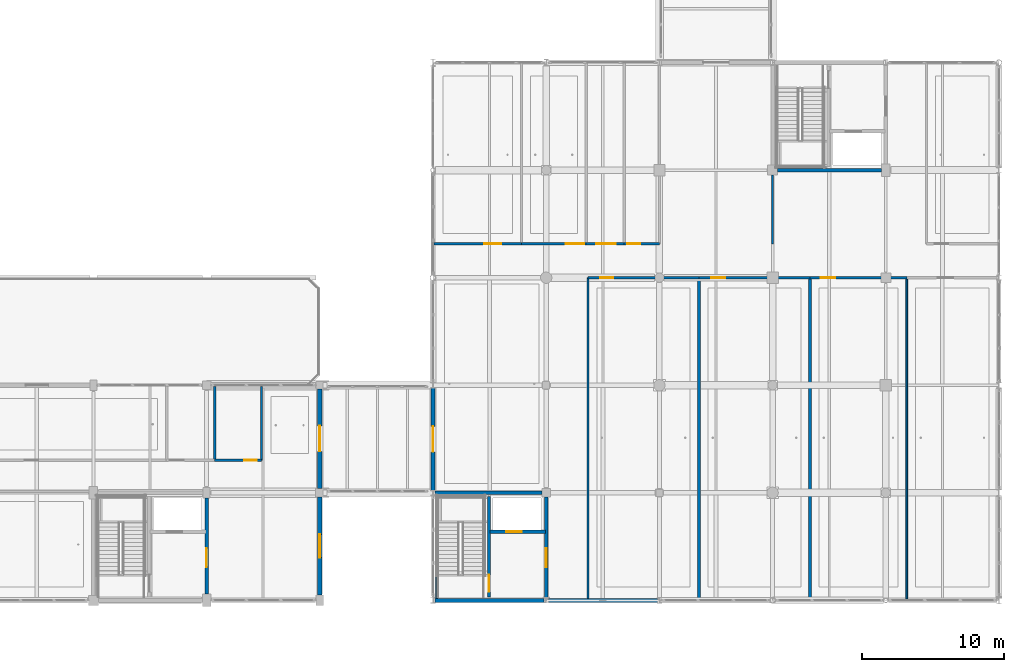
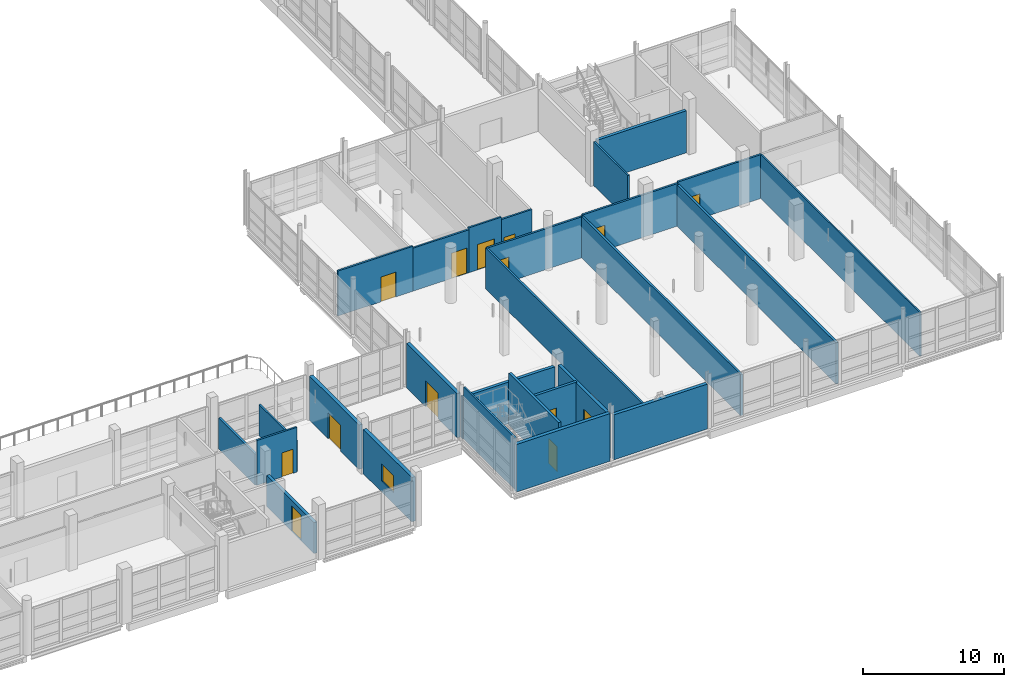
# One storey, part 92 of 147: 27 walls, 14 doors, 1 window, 15 openings.
"""IFC4 building model written with IfcOpenShell, lengths in metres."""

from ifc_helpers import new_model, si_unit, direction, frame, frame_2d, origin, place, context, subcontext, project, spatial, rectangle, extrude, material, layer, layer_set, type_object, element, fill, save


model = new_model("IFC4")

# Units and contexts
model_context = context("Model", 3, precision=1e-05, world=origin(), true_north=direction((0.0, 1.0)))
body_context = subcontext(model_context, "Body", "Model", "MODEL_VIEW")
ifc_project = project(units=[si_unit("LENGTHUNIT", "METRE"), si_unit("AREAUNIT", "SQUARE_METRE"), si_unit("VOLUMEUNIT", "CUBIC_METRE"), si_unit("PLANEANGLEUNIT", "RADIAN"), si_unit("MASSUNIT", "GRAM", prefix="KILO")], contexts=[model_context])

# Site, building, storey
site_placement = place(None, origin())
site = spatial("IfcSite", under=ifc_project, at=site_placement, CompositionType="ELEMENT")
building_placement = place(site_placement, origin())
building = spatial("IfcBuilding", under=site, at=building_placement, Name="Khelvaren Railside Concert Hall", CompositionType="ELEMENT")
storey_placement = place(building_placement, frame((0.0, 0.0, 5.39990234375)))
storey = spatial("IfcBuildingStorey", under=building, at=storey_placement, Name="L01", CompositionType="ELEMENT", Elevation=5.39990234375)

# Walls
ifc_material_1 = material(Name="Concrete C40/50", Category="concrete")
ifc_layer_1 = layer(ifc_material_1, 0.139892578125)
ifc_layer_set_1 = layer_set([ifc_layer_1], Name="Concrete C40/50")
wall_type_1 = type_object("IfcWallType", Name="CW17", PredefinedType="SOLIDWALL", material=ifc_layer_set_1)
wall_1_placement = place(storey_placement, frame((144.27490234375, 0.14990234375, 0.0), z_axis=(0.0, 0.0, 1.0), x_axis=(0.0, 1.0, 0.0)))
element("IfcWall", 1, at=wall_1_placement, inside=storey, type_object=wall_type_1, Name="Core Shaft Structural Liner Wall ST-03-L01", PredefinedType="SOLIDWALL", context=body_context, shape_type="SweptSolid", body=[
    extrude(rectangle(XDim=7.300048828125, YDim=0.139892578125, at=frame_2d((3.64990234375, 0.0))), origin(), (0.0, 0.0, 1.0), 4.510009765625),
])
ifc_layer_2 = layer(ifc_material_1, 0.25)
ifc_layer_set_2 = layer_set([ifc_layer_2], Name="Concrete C40/50")
wall_type_2 = type_object("IfcWallType", Name="CW82", PredefinedType="SOLIDWALL", material=ifc_layer_set_2)
wall_2_placement = place(storey_placement, frame((144.14990234375, 7.60009765625, 0.0), z_axis=(0.0, 0.0, 1.0), x_axis=(1.0, 0.0, 0.0)))
element("IfcWall", 2, at=wall_2_placement, inside=storey, type_object=wall_type_2, Name="Core Enclosure Wall CWALL-ST-03-L01-N", PredefinedType="SOLIDWALL", context=body_context, shape_type="SweptSolid", body=[
    extrude(rectangle(XDim=7.550048828125, YDim=0.25, at=frame_2d((3.77490234375, 0.0))), origin(), (0.0, 0.0, 1.0), 3.635009765625),
])

# Wall, opening, door
wall_3_placement = place(storey_placement, frame((152.0, 0.179931640625, 0.0), z_axis=(0.0, 0.0, 1.0), x_axis=(0.0, 1.0, 0.0)))
wall_3 = element("IfcWall", 3, at=wall_3_placement, inside=storey, type_object=wall_type_2, Name="Core Enclosure Wall CWALL-ST-03-L01-E", PredefinedType="SOLIDWALL", context=body_context, shape_type="SweptSolid", body=[
    extrude(rectangle(XDim=7.1201171875, YDim=0.25, at=frame_2d((3.56005859375, 0.0))), origin(), (0.0, 0.0, 1.0), 3.840087890625),
])
opening_1_placement = place(wall_3_placement, frame((2.169921875, 0.0, 0.0)))
opening_1 = element("IfcOpeningElement", 4, at=opening_1_placement, cuts=wall_3, Name="Opening FDR34", PredefinedType="OPENING", context=body_context, shape_type="SweptSolid", body=[
    extrude(rectangle(XDim=1.35009765625, YDim=2.199951171875, at=frame_2d((0.675048828125, 1.10009765625))), frame((0.0, 0.135009765625, 0.0), z_axis=(0.0, -1.0, 0.0), x_axis=(1.0, 0.0, 0.0)), (0.0, 0.0, 1.0), 0.27001953125),
])
ifc_material_2 = material(Name="Acoustic fire-rated timber-core steel frame door", Category="steel")
door_type_1 = type_object("IfcDoorType", Name="FDR34", OperationType="NOTDEFINED", PredefinedType="DOOR", material=ifc_material_2)
door_1_placement = place(opening_1_placement, origin())
door_1 = element("IfcDoor", 5, at=door_1_placement, inside=storey, type_object=door_type_1, Name="Interior Door DR-ST-03-L01-LOB", OperationType="SINGLE_SWING_LEFT", OverallHeight=2.199951171875, OverallWidth=1.35009765625, PredefinedType="DOOR", context=body_context, shape_type="SweptSolid", body=[
    extrude(rectangle(XDim=1.35009765625, YDim=2.199951171875, at=frame_2d((0.675048828125, 1.10009765625))), frame((0.0, 0.02490234375, 0.0), z_axis=(0.0, -1.0, 0.0), x_axis=(1.0, 0.0, 0.0)), (0.0, 0.0, 1.0), 0.050048828125),
])
fill(opening_1, door_1)

# Wall
wall_4_placement = place(storey_placement, frame((168.35009765625, 30.39990234375, 0.0), z_axis=(0.0, 0.0, 1.0), x_axis=(1.0, 0.0, 0.0)))
element("IfcWall", 6, at=wall_4_placement, inside=storey, type_object=wall_type_2, Name="Core Enclosure Wall CWALL-ST-04-L01-S", PredefinedType="SOLIDWALL", context=body_context, shape_type="SweptSolid", body=[
    extrude(rectangle(XDim=7.349853515625, YDim=0.25, at=frame_2d((3.6748046875, 0.0))), origin(), (0.0, 0.0, 1.0), 3.650146484375),
])

# Wall, opening, door
wall_5_placement = place(storey_placement, frame((128.0, 0.449951171875, 0.0), z_axis=(0.0, 0.0, 1.0), x_axis=(0.0, 1.0, 0.0)))
wall_5 = element("IfcWall", 7, at=wall_5_placement, inside=storey, type_object=wall_type_2, Name="Core Enclosure Wall CWALL-ST-06-L01-E", PredefinedType="SOLIDWALL", context=body_context, shape_type="SweptSolid", body=[
    extrude(rectangle(XDim=6.775146484375, YDim=0.25, at=frame_2d((3.3876953125, 0.0))), origin(), (0.0, 0.0, 1.0), 2.690185546875),
])
opening_2_placement = place(wall_5_placement, frame((1.89990234375, 0.0, 0.0)))
opening_2 = element("IfcOpeningElement", 8, at=opening_2_placement, cuts=wall_5, Name="Opening FDR34", PredefinedType="OPENING", context=body_context, shape_type="SweptSolid", body=[
    extrude(rectangle(XDim=1.35009765625, YDim=2.199951171875, at=frame_2d((0.675048828125, 1.10009765625))), frame((0.0, 0.135009765625, 0.0), z_axis=(0.0, -1.0, 0.0), x_axis=(1.0, 0.0, 0.0)), (0.0, 0.0, 1.0), 0.27001953125),
])
door_2_placement = place(opening_2_placement, origin())
door_2 = element("IfcDoor", 9, at=door_2_placement, inside=storey, type_object=door_type_1, Name="Interior Door DR-ST-06-L01-LOB", OperationType="SINGLE_SWING_LEFT", OverallHeight=2.199951171875, OverallWidth=1.35009765625, PredefinedType="DOOR", context=body_context, shape_type="SweptSolid", body=[
    extrude(rectangle(XDim=1.35009765625, YDim=2.199951171875, at=frame_2d((0.675048828125, 1.10009765625))), frame((0.0, 0.02490234375, 0.0), z_axis=(0.0, -1.0, 0.0), x_axis=(1.0, 0.0, 0.0)), (0.0, 0.0, 1.0), 0.050048828125),
])
fill(opening_2, door_2)

ifc_layer_3 = layer(ifc_material_1, 0.219970703125)
ifc_layer_set_3 = layer_set([ifc_layer_3], Name="Concrete C40/50")
wall_type_3 = type_object("IfcWallType", Name="CW97", PredefinedType="SOLIDWALL", material=ifc_layer_set_3)
wall_6_placement = place(storey_placement, frame((147.949951171875, 0.25, 0.0), z_axis=(0.0, 0.0, 1.0), x_axis=(0.0, 1.0, 0.0)))
wall_6 = element("IfcWall", 10, at=wall_6_placement, inside=storey, type_object=wall_type_3, Name="Core Enclosure Wall CWALL-ST-03-L01-MID", PredefinedType="SOLIDWALL", context=body_context, shape_type="SweptSolid", body=[
    extrude(rectangle(XDim=7.10009765625, YDim=0.219970703125, at=frame_2d((3.550048828125, 0.0))), origin(), (0.0, 0.0, 1.0), 4.510009765625),
])
opening_3_placement = place(wall_6_placement, frame((0.35009765625, 0.0, 0.0)))
opening_3 = element("IfcOpeningElement", 11, at=opening_3_placement, cuts=wall_6, Name="Opening FDR17", PredefinedType="OPENING", context=body_context, shape_type="SweptSolid", body=[
    extrude(rectangle(XDim=1.199951171875, YDim=2.14990234375, at=frame_2d((0.60009765625, 1.074951171875))), frame((0.0, 0.119873046875, 0.0), z_axis=(0.0, -1.0, 0.0), x_axis=(1.0, 0.0, 0.0)), (0.0, 0.0, 1.0), 0.239990234375),
])
door_type_2 = type_object("IfcDoorType", Name="FDR17", OperationType="NOTDEFINED", PredefinedType="DOOR", material=ifc_material_2)
door_3_placement = place(opening_3_placement, origin())
door_3 = element("IfcDoor", 12, at=door_3_placement, inside=storey, type_object=door_type_2, Name="Interior Door DR-ST-03-L01-ST", OperationType="SINGLE_SWING_RIGHT", OverallHeight=2.14990234375, OverallWidth=1.199951171875, PredefinedType="DOOR", context=body_context, shape_type="SweptSolid", body=[
    extrude(rectangle(XDim=1.199951171875, YDim=2.14990234375, at=frame_2d((0.60009765625, 1.074951171875))), frame((0.0, 0.02490234375, 0.0), z_axis=(0.0, -1.0, 0.0), x_axis=(1.0, 0.0, 0.0)), (0.0, 0.0, 1.0), 0.050048828125),
])
fill(opening_3, door_3)

wall_7_placement = place(storey_placement, frame((148.02001953125, 4.85009765625, 0.0), z_axis=(0.0, 0.0, 1.0), x_axis=(1.0, 0.0, 0.0)))
wall_7 = element("IfcWall", 13, at=wall_7_placement, inside=storey, type_object=wall_type_3, Name="Core Enclosure Wall CWALL-ST-03-L01-SHF", PredefinedType="SOLIDWALL", context=body_context, shape_type="SweptSolid", body=[
    extrude(rectangle(XDim=3.929931640625, YDim=0.219970703125, at=frame_2d((1.96484375, 0.0))), origin(), (0.0, 0.0, 1.0), 3.885009765625),
])
opening_4_placement = place(wall_7_placement, frame((1.14990234375, 0.0, 0.0)))
opening_4 = element("IfcOpeningElement", 14, at=opening_4_placement, cuts=wall_7, Name="Opening LD-PL-02", PredefinedType="OPENING", context=body_context, shape_type="SweptSolid", body=[
    extrude(rectangle(XDim=1.10009765625, YDim=2.199951171875, at=frame_2d((0.550048828125, 1.10009765625))), frame((0.0, 0.119873046875, 0.0), z_axis=(0.0, -1.0, 0.0), x_axis=(1.0, 0.0, 0.0)), (0.0, 0.0, 1.0), 0.239990234375),
])
ifc_material_3 = material(Name="Fire-rated brushed stainless steel landing door", Category="steel")
door_type_3 = type_object("IfcDoorType", Name="LD96", OperationType="DOUBLE_DOOR_SLIDING", PredefinedType="DOOR", material=ifc_material_3)
door_4_placement = place(opening_4_placement, origin())
door_4 = element("IfcDoor", 15, at=door_4_placement, inside=storey, type_object=door_type_3, Name="Lift Landing Door LD-PL-02-L01", OperationType="DOUBLE_DOOR_SLIDING", OverallHeight=2.199951171875, OverallWidth=1.10009765625, PredefinedType="DOOR", context=body_context, shape_type="SweptSolid", body=[
    extrude(rectangle(XDim=1.10009765625, YDim=2.199951171875, at=frame_2d((0.550048828125, 1.10009765625))), frame((0.0, 0.02490234375, 0.0), z_axis=(0.0, -1.0, 0.0), x_axis=(1.0, 0.0, 0.0)), (0.0, 0.0, 1.0), 0.050048828125),
])
fill(opening_4, door_4)

# Walls
ifc_material_4 = material(Name="Board-marked architectural concrete C40/50", Category="concrete")
ifc_layer_4 = layer(ifc_material_4, 0.280029296875)
ifc_layer_set_4 = layer_set([ifc_layer_4], Name="Board-marked architectural concrete C40/50")
wall_type_4 = type_object("IfcWallType", Name="EW17", PredefinedType="SOLIDWALL", material=ifc_layer_set_4)
wall_8_placement = place(storey_placement, frame((151.85009765625, 0.0, 0.0), z_axis=(0.0, 0.0, 1.0), x_axis=(-1.0, 0.0, 0.0)))
element("IfcWall", 16, at=wall_8_placement, inside=storey, type_object=wall_type_4, Name="V2 L01 Exterior Concrete Wall S-144", PredefinedType="SOLIDWALL", context=body_context, shape_type="SweptSolid", body=[
    extrude(rectangle(XDim=7.7001953125, YDim=0.280029296875, at=frame_2d((3.85009765625, 0.0))), origin(), (0.0, 0.0, 1.0), 4.14013671875),
])
wall_9_placement = place(storey_placement, frame((159.85009765625, 0.0, 0.0), z_axis=(0.0, 0.0, 1.0), x_axis=(-1.0, 0.0, 0.0)))
element("IfcWall", 17, at=wall_9_placement, inside=storey, type_object=wall_type_4, Name="V2 L01 Exterior Concrete Wall S-152", PredefinedType="SOLIDWALL", context=body_context, shape_type="SweptSolid", body=[
    extrude(rectangle(XDim=7.7001953125, YDim=0.280029296875, at=frame_2d((3.85009765625, 0.0))), origin(), (0.0, 0.0, 1.0), 3.900146484375),
])

# Wall, opening, door
wall_10_placement = place(storey_placement, frame((144.0, 7.780029296875, 0.0), z_axis=(0.0, 0.0, 1.0), x_axis=(0.0, 1.0, 0.0)))
wall_10 = element("IfcWall", 18, at=wall_10_placement, inside=storey, type_object=wall_type_4, Name="V2 L01 Bridge Portal Wall W", PredefinedType="SOLIDWALL", context=body_context, shape_type="SweptSolid", body=[
    extrude(rectangle(XDim=7.224853515625, YDim=0.280029296875, at=frame_2d((3.6123046875, 0.0))), origin(), (0.0, 0.0, 1.0), 3.85009765625),
])
opening_5_placement = place(wall_10_placement, frame((2.71240234375, 0.0, 0.0)))
opening_5 = element("IfcOpeningElement", 19, at=opening_5_placement, cuts=wall_10, Name="Opening DR64", PredefinedType="OPENING", context=body_context, shape_type="SweptSolid", body=[
    extrude(rectangle(XDim=1.800048828125, YDim=2.25, at=frame_2d((0.89990234375, 1.125))), frame((0.0, 0.14990234375, 0.0), z_axis=(0.0, -1.0, 0.0), x_axis=(1.0, 0.0, 0.0)), (0.0, 0.0, 1.0), 0.300048828125),
])
ifc_material_5 = material(Name="Glazed fire-rated steel frame door", Category="steel")
door_type_4 = type_object("IfcDoorType", Name="DR64", OperationType="DOUBLE_DOOR_SINGLE_SWING", PredefinedType="DOOR", material=ifc_material_5)
door_5_placement = place(opening_5_placement, origin())
door_5 = element("IfcDoor", 20, at=door_5_placement, inside=storey, type_object=door_type_4, Name="V2 L01 Link Bridge Portal Door", OperationType="DOUBLE_DOOR_SINGLE_SWING", OverallHeight=2.25, OverallWidth=1.800048828125, PredefinedType="DOOR", context=body_context, shape_type="SweptSolid", body=[
    extrude(rectangle(XDim=1.800048828125, YDim=2.25, at=frame_2d((0.89990234375, 1.125))), frame((0.0, 0.02490234375, 0.0), z_axis=(0.0, -1.0, 0.0), x_axis=(1.0, 0.0, 0.0)), (0.0, 0.0, 1.0), 0.050048828125),
])
fill(opening_5, door_5)

# Wall, opening, window
ifc_layer_5 = layer(ifc_material_4, 0.2900390625)
ifc_layer_set_5 = layer_set([ifc_layer_5], Name="Board-marked architectural concrete C40/50")
wall_type_5 = type_object("IfcWallType", Name="EW77", PredefinedType="SOLIDWALL", material=ifc_layer_set_5)
wall_11_placement = place(storey_placement, frame((136.0, 7.300048828125, 0.0), z_axis=(0.0, 0.0, 1.0), x_axis=(0.0, -1.0, 0.0)))
wall_11 = element("IfcWall", 21, at=wall_11_placement, inside=storey, type_object=wall_type_5, Name="V3 L01 Exterior Concrete Wall E-0", PredefinedType="SOLIDWALL", context=body_context, shape_type="SweptSolid", body=[
    extrude(rectangle(XDim=6.925048828125, YDim=0.2900390625, at=frame_2d((3.46240234375, 0.0))), origin(), (0.0, 0.0, 1.0), 3.85009765625),
])
opening_6_placement = place(wall_11_placement, frame((2.637451171875, 0.0, 0.949951171875)))
opening_6 = element("IfcOpeningElement", 22, at=opening_6_placement, cuts=wall_11, Name="Opening WN55", PredefinedType="OPENING", context=body_context, shape_type="SweptSolid", body=[
    extrude(rectangle(XDim=1.64990234375, YDim=1.5, at=frame_2d((0.824951171875, 0.75))), frame((0.0, 0.155029296875, 0.0), z_axis=(0.0, -1.0, 0.0), x_axis=(1.0, 0.0, 0.0)), (0.0, 0.0, 1.0), 0.31005859375),
])
ifc_material_6 = material(Name="Triple-glazed acoustic aluminium window", Category="aluminium")
window_type = type_object("IfcWindowType", Name="WN55", PartitioningType="SINGLE_PANEL", PredefinedType="WINDOW", material=ifc_material_6)
window_placement = place(opening_6_placement, origin())
window = element("IfcWindow", 23, at=window_placement, inside=storey, type_object=window_type, Name="Acoustic Facade Window EW-V3-L01-E-0", OverallHeight=1.5, OverallWidth=1.64990234375, PartitioningType="SINGLE_PANEL", PredefinedType="WINDOW", context=body_context, shape_type="SweptSolid", body=[
    extrude(rectangle(XDim=1.64990234375, YDim=1.5, at=frame_2d((0.824951171875, 0.75))), frame((0.0, 0.030029296875, 0.0), z_axis=(0.0, -1.0, 0.0), x_axis=(1.0, 0.0, 0.0)), (0.0, 0.0, 1.0), 0.06005859375),
])
fill(opening_6, window)

# Wall, opening, door
wall_12_placement = place(storey_placement, frame((136.0, 14.949951171875, 0.0), z_axis=(0.0, 0.0, 1.0), x_axis=(0.0, -1.0, 0.0)))
wall_12 = element("IfcWall", 24, at=wall_12_placement, inside=storey, type_object=wall_type_5, Name="V3 L01 Bridge Portal Wall E", PredefinedType="SOLIDWALL", context=body_context, shape_type="SweptSolid", body=[
    extrude(rectangle(XDim=7.050048828125, YDim=0.2900390625, at=frame_2d((3.52490234375, 0.0))), origin(), (0.0, 0.0, 1.0), 3.85009765625),
])
opening_7_placement = place(wall_12_placement, frame((2.625, 0.0, 0.0)))
opening_7 = element("IfcOpeningElement", 25, at=opening_7_placement, cuts=wall_12, Name="Opening DR64", PredefinedType="OPENING", context=body_context, shape_type="SweptSolid", body=[
    extrude(rectangle(XDim=1.800048828125, YDim=2.25, at=frame_2d((0.89990234375, 1.125))), frame((0.0, 0.155029296875, 0.0), z_axis=(0.0, -1.0, 0.0), x_axis=(1.0, 0.0, 0.0)), (0.0, 0.0, 1.0), 0.31005859375),
])
door_6_placement = place(opening_7_placement, origin())
door_6 = element("IfcDoor", 26, at=door_6_placement, inside=storey, type_object=door_type_4, Name="V3 L01 Link Bridge Portal Door", OperationType="DOUBLE_DOOR_SINGLE_SWING", OverallHeight=2.25, OverallWidth=1.800048828125, PredefinedType="DOOR", context=body_context, shape_type="SweptSolid", body=[
    extrude(rectangle(XDim=1.800048828125, YDim=2.25, at=frame_2d((0.89990234375, 1.125))), frame((0.0, 0.02490234375, 0.0), z_axis=(0.0, -1.0, 0.0), x_axis=(1.0, 0.0, 0.0)), (0.0, 0.0, 1.0), 0.050048828125),
])
fill(opening_7, door_6)

ifc_material_7 = material(Name="Acoustic double-stud gypsum partition", Category="gypsum")
ifc_layer_6 = layer(ifc_material_7, 0.159912109375)
ifc_layer_set_6 = layer_set([ifc_layer_6], Name="Acoustic double-stud gypsum partition")
wall_type_6 = type_object("IfcWallType", Name="PT19", PredefinedType="PARTITIONING", material=ifc_layer_set_6)
wall_13_placement = place(storey_placement, frame((154.949951171875, 22.800048828125, 0.0), z_axis=(0.0, 0.0, 1.0), x_axis=(1.0, 0.0, 0.0)))
wall_13 = element("IfcWall", 27, at=wall_13_placement, inside=storey, type_object=wall_type_6, Name="Acoustic Partition Wall PW-V2-L01-S-C01", PredefinedType="PARTITIONING", context=body_context, shape_type="SweptSolid", body=[
    extrude(rectangle(XDim=7.845947265625, YDim=0.159912109375, at=frame_2d((3.9228515625, 0.0))), origin(), (0.0, 0.0, 1.0), 3.550048828125),
])
opening_8_placement = place(wall_13_placement, frame((0.860595703125, 0.0, 0.0)))
opening_8 = element("IfcOpeningElement", 28, at=opening_8_placement, cuts=wall_13, Name="Opening IDR15", PredefinedType="OPENING", context=body_context, shape_type="SweptSolid", body=[
    extrude(rectangle(XDim=0.919921875, YDim=2.14990234375, at=frame_2d((0.4599609375, 1.074951171875))), frame((0.0, 0.08984375, 0.0), z_axis=(0.0, -1.0, 0.0), x_axis=(1.0, 0.0, 0.0)), (0.0, 0.0, 1.0), 0.179931640625),
])
ifc_material_8 = material(Name="Solid oak acoustic studio door", Category="wood")
door_type_5 = type_object("IfcDoorType", Name="IDR15", OperationType="NOTDEFINED", PredefinedType="DOOR", material=ifc_material_8)
door_7_placement = place(opening_8_placement, origin())
door_7 = element("IfcDoor", 29, at=door_7_placement, inside=storey, type_object=door_type_5, Name="Interior Door DR-V2-L01-S-01", OperationType="SINGLE_SWING_LEFT", OverallHeight=2.14990234375, OverallWidth=0.919921875, PredefinedType="DOOR", context=body_context, shape_type="SweptSolid", body=[
    extrude(rectangle(XDim=0.919921875, YDim=2.14990234375, at=frame_2d((0.4599609375, 1.074951171875))), frame((0.0, 0.02490234375, 0.0), z_axis=(0.0, -1.0, 0.0), x_axis=(1.0, 0.0, 0.0)), (0.0, 0.0, 1.0), 0.050048828125),
])
fill(opening_8, door_7)

wall_14_placement = place(storey_placement, frame((162.7958984375, 22.800048828125, 0.0), z_axis=(0.0, 0.0, 1.0), x_axis=(1.0, 0.0, 0.0)))
wall_14 = element("IfcWall", 30, at=wall_14_placement, inside=storey, type_object=wall_type_6, Name="Acoustic Partition Wall PW-V2-L01-S-C02", PredefinedType="PARTITIONING", context=body_context, shape_type="SweptSolid", body=[
    extrude(rectangle(XDim=7.84619140625, YDim=0.159912109375, at=frame_2d((3.923095703125, 0.0))), origin(), (0.0, 0.0, 1.0), 3.68505859375),
])
opening_9_placement = place(wall_14_placement, frame((0.860595703125, 0.0, 0.0)))
opening_9 = element("IfcOpeningElement", 31, at=opening_9_placement, cuts=wall_14, Name="Opening IDR67", PredefinedType="OPENING", context=body_context, shape_type="SweptSolid", body=[
    extrude(rectangle(XDim=0.97998046875, YDim=2.14990234375, at=frame_2d((0.489990234375, 1.074951171875))), frame((0.0, 0.08984375, 0.0), z_axis=(0.0, -1.0, 0.0), x_axis=(1.0, 0.0, 0.0)), (0.0, 0.0, 1.0), 0.179931640625),
])
door_type_6 = type_object("IfcDoorType", Name="IDR67", OperationType="NOTDEFINED", PredefinedType="DOOR", material=ifc_material_8)
door_8_placement = place(opening_9_placement, origin())
door_8 = element("IfcDoor", 32, at=door_8_placement, inside=storey, type_object=door_type_6, Name="Interior Door DR-V2-L01-S-02", OperationType="SINGLE_SWING_RIGHT", OverallHeight=2.14990234375, OverallWidth=0.97998046875, PredefinedType="DOOR", context=body_context, shape_type="SweptSolid", body=[
    extrude(rectangle(XDim=0.97998046875, YDim=2.14990234375, at=frame_2d((0.489990234375, 1.074951171875))), frame((0.0, 0.02490234375, 0.0), z_axis=(0.0, -1.0, 0.0), x_axis=(1.0, 0.0, 0.0)), (0.0, 0.0, 1.0), 0.050048828125),
])
fill(opening_9, door_8)

wall_15_placement = place(storey_placement, frame((170.64208984375, 22.800048828125, 0.0), z_axis=(0.0, 0.0, 1.0), x_axis=(1.0, 0.0, 0.0)))
wall_15 = element("IfcWall", 33, at=wall_15_placement, inside=storey, type_object=wall_type_6, Name="Acoustic Partition Wall PW-V2-L01-S-C03", PredefinedType="PARTITIONING", context=body_context, shape_type="SweptSolid", body=[
    extrude(rectangle(XDim=6.83984375, YDim=0.159912109375, at=frame_2d((3.419921875, 0.0))), origin(), (0.0, 0.0, 1.0), 3.81005859375),
])
opening_10_placement = place(wall_15_placement, frame((0.760009765625, 0.0, 0.0)))
opening_10 = element("IfcOpeningElement", 34, at=opening_10_placement, cuts=wall_15, Name="Opening IDR24", PredefinedType="OPENING", context=body_context, shape_type="SweptSolid", body=[
    extrude(rectangle(XDim=1.0400390625, YDim=2.14990234375, at=frame_2d((0.52001953125, 1.074951171875))), frame((0.0, 0.08984375, 0.0), z_axis=(0.0, -1.0, 0.0), x_axis=(1.0, 0.0, 0.0)), (0.0, 0.0, 1.0), 0.179931640625),
])
door_type_7 = type_object("IfcDoorType", Name="IDR24", OperationType="NOTDEFINED", PredefinedType="DOOR", material=ifc_material_8)
door_9_placement = place(opening_10_placement, origin())
door_9 = element("IfcDoor", 35, at=door_9_placement, inside=storey, type_object=door_type_7, Name="Interior Door DR-V2-L01-S-03", OperationType="SINGLE_SWING_LEFT", OverallHeight=2.14990234375, OverallWidth=1.0400390625, PredefinedType="DOOR", context=body_context, shape_type="SweptSolid", body=[
    extrude(rectangle(XDim=1.0400390625, YDim=2.14990234375, at=frame_2d((0.52001953125, 1.074951171875))), frame((0.0, 0.02490234375, 0.0), z_axis=(0.0, -1.0, 0.0), x_axis=(1.0, 0.0, 0.0)), (0.0, 0.0, 1.0), 0.050048828125),
])
fill(opening_10, door_9)

# Walls
wall_16_placement = place(storey_placement, frame((154.949951171875, 0.080078125, 0.0), z_axis=(0.0, 0.0, 1.0), x_axis=(0.0, 1.0, 0.0)))
element("IfcWall", 36, at=wall_16_placement, inside=storey, type_object=wall_type_6, Name="Acoustic Partition Wall PW-V2-L01-S-W0", PredefinedType="PARTITIONING", context=body_context, shape_type="SweptSolid", body=[
    extrude(rectangle(XDim=22.719970703125, YDim=0.159912109375, at=frame_2d((11.35986328125, 0.0))), origin(), (0.0, 0.0, 1.0), 3.550048828125),
])
ifc_layer_7 = layer(ifc_material_7, 0.179931640625)
ifc_layer_set_7 = layer_set([ifc_layer_7], Name="Acoustic double-stud gypsum partition")
wall_type_7 = type_object("IfcWallType", Name="PT53", PredefinedType="PARTITIONING", material=ifc_layer_set_7)
wall_17_placement = place(storey_placement, frame((162.7958984375, 0.080078125, 0.0), z_axis=(0.0, 0.0, 1.0), x_axis=(0.0, 1.0, 0.0)))
element("IfcWall", 37, at=wall_17_placement, inside=storey, type_object=wall_type_7, Name="Acoustic Partition Wall PW-V2-L01-S-D01", PredefinedType="PARTITIONING", context=body_context, shape_type="SweptSolid", body=[
    extrude(rectangle(XDim=22.719970703125, YDim=0.179931640625, at=frame_2d((11.35986328125, 0.0))), origin(), (0.0, 0.0, 1.0), 3.585205078125),
])

# Wall, opening, door
ifc_layer_8 = layer(ifc_material_7, 0.14990234375)
ifc_layer_set_8 = layer_set([ifc_layer_8], Name="Acoustic double-stud gypsum partition")
wall_type_8 = type_object("IfcWallType", Name="PT72", PredefinedType="PARTITIONING", material=ifc_layer_set_8)
wall_18_placement = place(storey_placement, frame((144.080078125, 25.199951171875, 0.0), z_axis=(0.0, 0.0, 1.0), x_axis=(1.0, 0.0, 0.0)))
wall_18 = element("IfcWall", 38, at=wall_18_placement, inside=storey, type_object=wall_type_8, Name="Acoustic Partition Wall PW-V2-L01-N-C01", PredefinedType="PARTITIONING", context=body_context, shape_type="SweptSolid", body=[
    extrude(rectangle(XDim=6.1689453125, YDim=0.14990234375, at=frame_2d((3.08447265625, 0.0))), origin(), (0.0, 0.0, 1.0), 3.905029296875),
])
opening_11_placement = place(wall_18_placement, frame((3.5302734375, 0.0, 0.0)))
opening_11 = element("IfcOpeningElement", 39, at=opening_11_placement, cuts=wall_18, Name="Opening IDR44", PredefinedType="OPENING", context=body_context, shape_type="SweptSolid", body=[
    extrude(rectangle(XDim=1.219970703125, YDim=2.14990234375, at=frame_2d((0.60986328125, 1.074951171875))), frame((0.0, 0.0849609375, 0.0), z_axis=(0.0, -1.0, 0.0), x_axis=(1.0, 0.0, 0.0)), (0.0, 0.0, 1.0), 0.169921875),
])
door_type_8 = type_object("IfcDoorType", Name="IDR44", OperationType="NOTDEFINED", PredefinedType="DOOR", material=ifc_material_8)
door_10_placement = place(opening_11_placement, origin())
door_10 = element("IfcDoor", 40, at=door_10_placement, inside=storey, type_object=door_type_8, Name="Interior Door DR-V2-L01-N-01", OperationType="SINGLE_SWING_LEFT", OverallHeight=2.14990234375, OverallWidth=1.219970703125, PredefinedType="DOOR", context=body_context, shape_type="SweptSolid", body=[
    extrude(rectangle(XDim=1.219970703125, YDim=2.14990234375, at=frame_2d((0.60986328125, 1.074951171875))), frame((0.0, 0.02490234375, 0.0), z_axis=(0.0, -1.0, 0.0), x_axis=(1.0, 0.0, 0.0)), (0.0, 0.0, 1.0), 0.050048828125),
])
fill(opening_11, door_10)

wall_19_placement = place(storey_placement, frame((150.2490234375, 25.199951171875, 0.0), z_axis=(0.0, 0.0, 1.0), x_axis=(1.0, 0.0, 0.0)))
wall_19 = element("IfcWall", 41, at=wall_19_placement, inside=storey, type_object=wall_type_8, Name="Acoustic Partition Wall PW-V2-L01-N-C02", PredefinedType="PARTITIONING", context=body_context, shape_type="SweptSolid", body=[
    extrude(rectangle(XDim=4.576904296875, YDim=0.14990234375, at=frame_2d((2.28857421875, 0.0))), origin(), (0.0, 0.0, 1.0), 3.735107421875),
])
opening_12_placement = place(wall_19_placement, frame((3.136962890625, 0.0, 0.0)))
opening_12 = element("IfcOpeningElement", 42, at=opening_12_placement, cuts=wall_19, Name="Opening IDR18", PredefinedType="OPENING", context=body_context, shape_type="SweptSolid", body=[
    extrude(rectangle(XDim=1.300048828125, YDim=2.199951171875, at=frame_2d((0.64990234375, 1.10009765625))), frame((0.0, 0.0849609375, 0.0), z_axis=(0.0, -1.0, 0.0), x_axis=(1.0, 0.0, 0.0)), (0.0, 0.0, 1.0), 0.169921875),
])
door_type_9 = type_object("IfcDoorType", Name="IDR18", OperationType="NOTDEFINED", PredefinedType="DOOR", material=ifc_material_8)
door_11_placement = place(opening_12_placement, origin())
door_11 = element("IfcDoor", 43, at=door_11_placement, inside=storey, type_object=door_type_9, Name="Interior Door DR-V2-L01-N-02", OperationType="SINGLE_SWING_RIGHT", OverallHeight=2.199951171875, OverallWidth=1.300048828125, PredefinedType="DOOR", context=body_context, shape_type="SweptSolid", body=[
    extrude(rectangle(XDim=1.300048828125, YDim=2.199951171875, at=frame_2d((0.64990234375, 1.10009765625))), frame((0.0, 0.02490234375, 0.0), z_axis=(0.0, -1.0, 0.0), x_axis=(1.0, 0.0, 0.0)), (0.0, 0.0, 1.0), 0.050048828125),
])
fill(opening_12, door_11)

wall_20_placement = place(storey_placement, frame((154.825927734375, 25.199951171875, 0.0), z_axis=(0.0, 0.0, 1.0), x_axis=(1.0, 0.0, 0.0)))
wall_20 = element("IfcWall", 44, at=wall_20_placement, inside=storey, type_object=wall_type_8, Name="Acoustic Partition Wall PW-V2-L01-N-C03", PredefinedType="PARTITIONING", context=body_context, shape_type="SweptSolid", body=[
    extrude(rectangle(XDim=2.68603515625, YDim=0.14990234375, at=frame_2d((1.343017578125, 0.0))), origin(), (0.0, 0.0, 1.0), 3.89501953125),
])
opening_13_placement = place(wall_20_placement, frame((0.718505859375, 0.0, 0.0)))
opening_13 = element("IfcOpeningElement", 45, at=opening_13_placement, cuts=wall_20, Name="Opening IDR82", PredefinedType="OPENING", context=body_context, shape_type="SweptSolid", body=[
    extrude(rectangle(XDim=1.3798828125, YDim=2.199951171875, at=frame_2d((0.68994140625, 1.10009765625))), frame((0.0, 0.0849609375, 0.0), z_axis=(0.0, -1.0, 0.0), x_axis=(1.0, 0.0, 0.0)), (0.0, 0.0, 1.0), 0.169921875),
])
door_type_10 = type_object("IfcDoorType", Name="IDR82", OperationType="NOTDEFINED", PredefinedType="DOOR", material=ifc_material_8)
door_12_placement = place(opening_13_placement, origin())
door_12 = element("IfcDoor", 46, at=door_12_placement, inside=storey, type_object=door_type_10, Name="Interior Door DR-V2-L01-N-03", OperationType="SINGLE_SWING_LEFT", OverallHeight=2.199951171875, OverallWidth=1.3798828125, PredefinedType="DOOR", context=body_context, shape_type="SweptSolid", body=[
    extrude(rectangle(XDim=1.3798828125, YDim=2.199951171875, at=frame_2d((0.68994140625, 1.10009765625))), frame((0.0, 0.02490234375, 0.0), z_axis=(0.0, -1.0, 0.0), x_axis=(1.0, 0.0, 0.0)), (0.0, 0.0, 1.0), 0.050048828125),
])
fill(opening_13, door_12)

wall_21_placement = place(storey_placement, frame((157.511962890625, 25.199951171875, 0.0), z_axis=(0.0, 0.0, 1.0), x_axis=(1.0, 0.0, 0.0)))
wall_21 = element("IfcWall", 47, at=wall_21_placement, inside=storey, type_object=wall_type_8, Name="Acoustic Partition Wall PW-V2-L01-N-C04", PredefinedType="PARTITIONING", context=body_context, shape_type="SweptSolid", body=[
    extrude(rectangle(XDim=2.488037109375, YDim=0.14990234375, at=frame_2d((1.244140625, 0.0))), origin(), (0.0, 0.0, 1.0), 3.68505859375),
])
opening_14_placement = place(wall_21_placement, frame((0.219970703125, 0.0, 0.0)))
opening_14 = element("IfcOpeningElement", 48, at=opening_14_placement, cuts=wall_21, Name="Opening IDR59", PredefinedType="OPENING", context=body_context, shape_type="SweptSolid", body=[
    extrude(rectangle(XDim=0.89990234375, YDim=2.050048828125, at=frame_2d((0.449951171875, 1.02490234375))), frame((0.0, 0.0849609375, 0.0), z_axis=(0.0, -1.0, 0.0), x_axis=(1.0, 0.0, 0.0)), (0.0, 0.0, 1.0), 0.169921875),
])
door_type_11 = type_object("IfcDoorType", Name="IDR59", OperationType="NOTDEFINED", PredefinedType="DOOR", material=ifc_material_8)
door_13_placement = place(opening_14_placement, origin())
door_13 = element("IfcDoor", 49, at=door_13_placement, inside=storey, type_object=door_type_11, Name="Interior Door DR-V2-L01-N-04", OperationType="SINGLE_SWING_RIGHT", OverallHeight=2.050048828125, OverallWidth=0.89990234375, PredefinedType="DOOR", context=body_context, shape_type="SweptSolid", body=[
    extrude(rectangle(XDim=0.89990234375, YDim=2.050048828125, at=frame_2d((0.449951171875, 1.02490234375))), frame((0.0, 0.02490234375, 0.0), z_axis=(0.0, -1.0, 0.0), x_axis=(1.0, 0.0, 0.0)), (0.0, 0.0, 1.0), 0.050048828125),
])
fill(opening_14, door_13)

# Wall
wall_22_placement = place(storey_placement, frame((168.0, 25.199951171875, 0.0), z_axis=(0.0, 0.0, 1.0), x_axis=(0.0, 1.0, 0.0)))
element("IfcWall", 50, at=wall_22_placement, inside=storey, type_object=wall_type_8, Name="Acoustic Partition Wall PW-V2-L01-BRGN-E", PredefinedType="PARTITIONING", context=body_context, shape_type="SweptSolid", body=[
    extrude(rectangle(XDim=4.85009765625, YDim=0.14990234375, at=frame_2d((2.425048828125, 0.0))), origin(), (0.0, 0.0, 1.0), 3.81005859375),
])

# Wall, opening, door
wall_23_placement = place(storey_placement, frame((128.576904296875, 9.89990234375, 0.0), z_axis=(0.0, 0.0, 1.0), x_axis=(1.0, 0.0, 0.0)))
wall_23 = element("IfcWall", 51, at=wall_23_placement, inside=storey, type_object=wall_type_8, Name="Acoustic Partition Wall PW-V3-L01-N-C05", PredefinedType="PARTITIONING", context=body_context, shape_type="SweptSolid", body=[
    extrude(rectangle(XDim=3.302978515625, YDim=0.14990234375, at=frame_2d((1.6513671875, 0.0))), origin(), (0.0, 0.0, 1.0), 3.89501953125),
])
opening_15_placement = place(wall_23_placement, frame((2.0830078125, 0.0, 0.0)))
opening_15 = element("IfcOpeningElement", 52, at=opening_15_placement, cuts=wall_23, Name="Opening IDR56", PredefinedType="OPENING", context=body_context, shape_type="SweptSolid", body=[
    extrude(rectangle(XDim=0.89990234375, YDim=2.10009765625, at=frame_2d((0.449951171875, 1.050048828125))), frame((0.0, 0.0849609375, 0.0), z_axis=(0.0, -1.0, 0.0), x_axis=(1.0, 0.0, 0.0)), (0.0, 0.0, 1.0), 0.169921875),
])
door_type_12 = type_object("IfcDoorType", Name="IDR56", OperationType="NOTDEFINED", PredefinedType="DOOR", material=ifc_material_8)
door_14_placement = place(opening_15_placement, origin())
door_14 = element("IfcDoor", 53, at=door_14_placement, inside=storey, type_object=door_type_12, Name="Interior Door DR-V3-L01-N-05", OperationType="SINGLE_SWING_LEFT", OverallHeight=2.10009765625, OverallWidth=0.89990234375, PredefinedType="DOOR", context=body_context, shape_type="SweptSolid", body=[
    extrude(rectangle(XDim=0.89990234375, YDim=2.10009765625, at=frame_2d((0.449951171875, 1.050048828125))), frame((0.0, 0.02490234375, 0.0), z_axis=(0.0, -1.0, 0.0), x_axis=(1.0, 0.0, 0.0)), (0.0, 0.0, 1.0), 0.050048828125),
])
fill(opening_15, door_14)

# Walls
wall_24_placement = place(storey_placement, frame((131.8798828125, 9.89990234375, 0.0), z_axis=(0.0, 0.0, 1.0), x_axis=(0.0, 1.0, 0.0)))
element("IfcWall", 54, at=wall_24_placement, inside=storey, type_object=wall_type_8, Name="Acoustic Partition Wall PW-V3-L01-N-E0", PredefinedType="PARTITIONING", context=body_context, shape_type="SweptSolid", body=[
    extrude(rectangle(XDim=5.22021484375, YDim=0.14990234375, at=frame_2d((2.610107421875, 0.0))), origin(), (0.0, 0.0, 1.0), 2.690185546875),
])
ifc_layer_9 = layer(ifc_material_7, 0.1201171875)
ifc_layer_set_9 = layer_set([ifc_layer_9], Name="Acoustic double-stud gypsum partition")
wall_type_9 = type_object("IfcWallType", Name="PT74", PredefinedType="PARTITIONING", material=ifc_layer_set_9)
wall_25_placement = place(storey_placement, frame((177.48193359375, 0.080078125, 0.0), z_axis=(0.0, 0.0, 1.0), x_axis=(0.0, 1.0, 0.0)))
element("IfcWall", 55, at=wall_25_placement, inside=storey, type_object=wall_type_9, Name="Acoustic Partition Wall PW-V2-L01-S-D03", PredefinedType="PARTITIONING", context=body_context, shape_type="SweptSolid", body=[
    extrude(rectangle(XDim=22.719970703125, YDim=0.1201171875, at=frame_2d((11.35986328125, 0.0))), origin(), (0.0, 0.0, 1.0), 3.81005859375),
])
ifc_layer_10 = layer(ifc_material_7, 0.199951171875)
ifc_layer_set_10 = layer_set([ifc_layer_10], Name="Acoustic double-stud gypsum partition")
wall_type_10 = type_object("IfcWallType", Name="PT75", PredefinedType="PARTITIONING", material=ifc_layer_set_10)
wall_26_placement = place(storey_placement, frame((170.64208984375, 0.080078125, 0.0), z_axis=(0.0, 0.0, 1.0), x_axis=(0.0, 1.0, 0.0)))
element("IfcWall", 56, at=wall_26_placement, inside=storey, type_object=wall_type_10, Name="Acoustic Partition Wall PW-V2-L01-S-D02", PredefinedType="PARTITIONING", context=body_context, shape_type="SweptSolid", body=[
    extrude(rectangle(XDim=22.719970703125, YDim=0.199951171875, at=frame_2d((11.35986328125, 0.0))), origin(), (0.0, 0.0, 1.0), 3.585205078125),
])
wall_27_placement = place(storey_placement, frame((128.576904296875, 9.89990234375, 0.0), z_axis=(0.0, 0.0, 1.0), x_axis=(0.0, 1.0, 0.0)))
element("IfcWall", 57, at=wall_27_placement, inside=storey, type_object=wall_type_10, Name="Acoustic Partition Wall PW-V3-L01-N-D04", PredefinedType="PARTITIONING", context=body_context, shape_type="SweptSolid", body=[
    extrude(rectangle(XDim=5.22021484375, YDim=0.199951171875, at=frame_2d((2.610107421875, 0.0))), origin(), (0.0, 0.0, 1.0), 2.690185546875),
])

save(model, "model.ifc")
